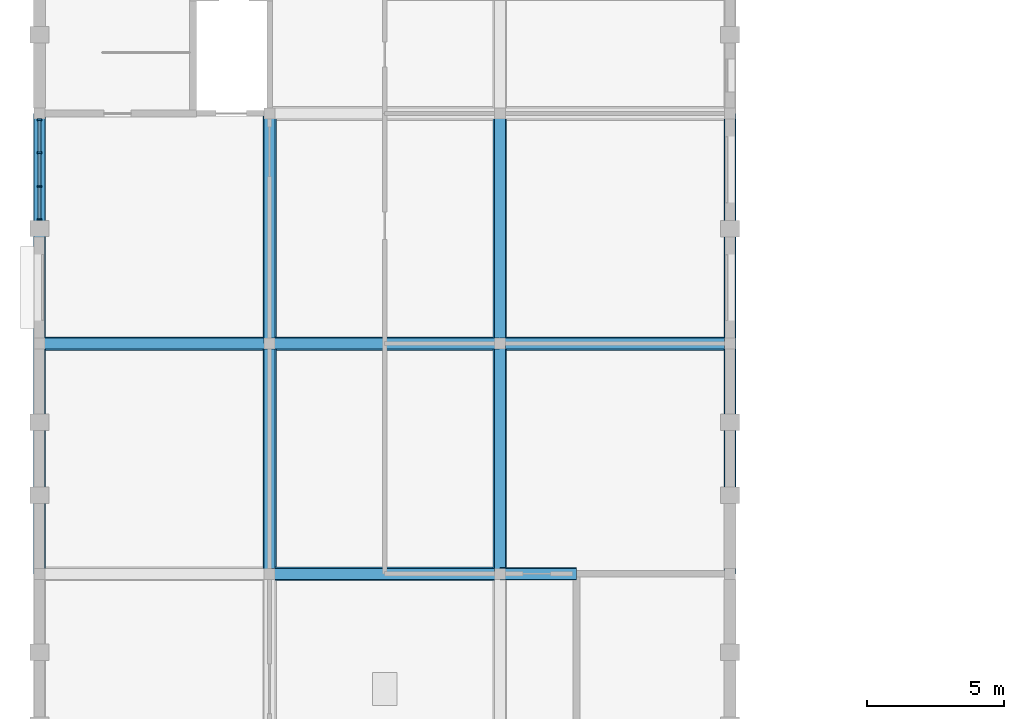
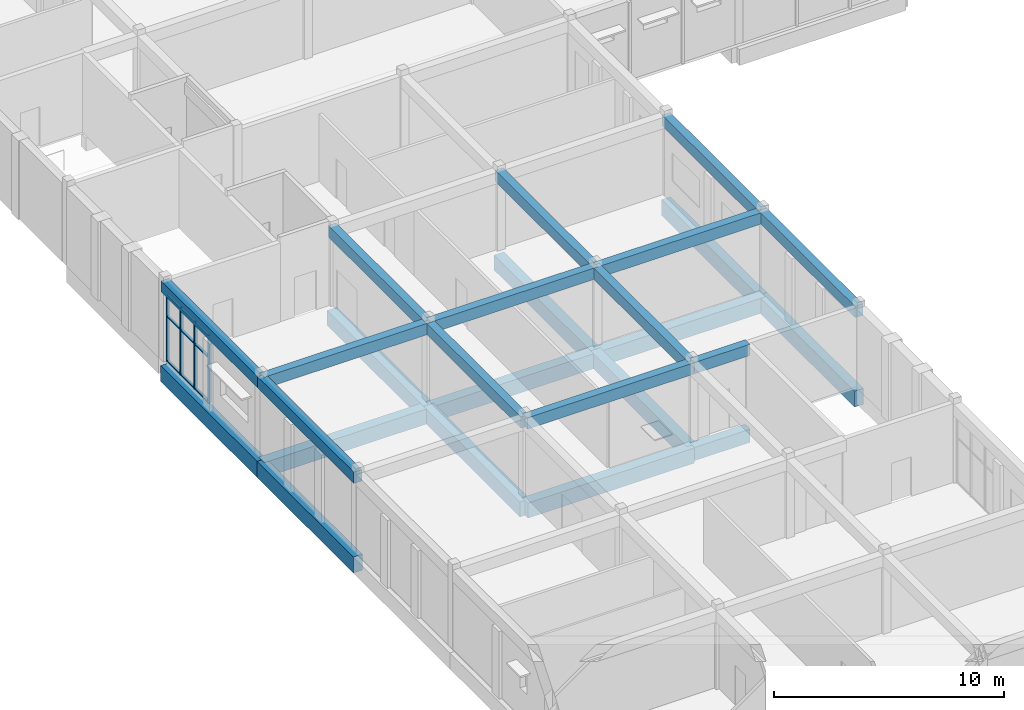
# One storey, part 3 of 15: 26 beams, 13 members, 1 element without a shape of its own.
"""IFC4 building model written with IfcOpenShell, lengths in metres."""

from ifc_helpers import new_model, si_unit, direction, frame, origin, origin_2d, place, context, subcontext, project, spatial, rectangle, extrude, material, material_profile, profile_set, type_object, element, aggregate, save


model = new_model("IFC4")

# Units and contexts
model_context = context("Model", 3, precision=1e-05, world=origin(), true_north=direction((0.0, 1.0)))
body_context = subcontext(model_context, "Body", "Model", "MODEL_VIEW")
ifc_project = project(units=[si_unit("LENGTHUNIT", "METRE"), si_unit("AREAUNIT", "SQUARE_METRE"), si_unit("VOLUMEUNIT", "CUBIC_METRE"), si_unit("PLANEANGLEUNIT", "RADIAN"), si_unit("MASSUNIT", "GRAM", prefix="KILO")], contexts=[model_context])

# Site, building, storey
site_placement = place(None, origin())
site = spatial("IfcSite", under=ifc_project, at=site_placement, CompositionType="ELEMENT")
building_placement = place(site_placement, origin())
building = spatial("IfcBuilding", under=site, at=building_placement, Name="Fescue Hill Polytechnic", CompositionType="ELEMENT")
storey_placement = place(building_placement, frame((0.0, 0.0, 31.5)))
storey = spatial("IfcBuildingStorey", under=building, at=storey_placement, Name="L07", CompositionType="ELEMENT", Elevation=31.5)

# Beams
ifc_material_1 = material(Name="Concrete 35 MPa", Category="concrete")
ifc_material_profile_1 = material_profile(ifc_material_1, rectangle(XDim=0.39990234375, YDim=0.60009765625, at=origin_2d()), Name="RC 400x600")
ifc_profile_set_1 = profile_set([ifc_material_profile_1], Name="Concrete 35 MPa")
beam_type_1 = type_object("IfcBeamType", Name="Beam RC 400x600", PredefinedType="BEAM", material=ifc_profile_set_1)
beam_1_placement = place(storey_placement, frame((0.0, 84.0, 3.89990234375), z_axis=(0.0, 1.0, 0.0), x_axis=(-1.0, 0.0, 0.0)))
element("IfcBeam", 1, at=beam_1_placement, inside=storey, type_object=beam_type_1, Name="BR-L07-0004", PredefinedType="BEAM", context=body_context, shape_type="SweptSolid", body=[
    extrude(rectangle(XDim=0.39990234375, YDim=0.60009765625, at=origin_2d()), origin(), (0.0, 0.0, 1.0), 8.39990234375),
])
beam_2_placement = place(storey_placement, frame((0.0, 92.39990234375, 3.89990234375), z_axis=(0.0, 1.0, 0.0), x_axis=(-1.0, 0.0, 0.0)))
element("IfcBeam", 2, at=beam_2_placement, inside=storey, type_object=beam_type_1, Name="BR-L07-0005", PredefinedType="BEAM", context=body_context, shape_type="SweptSolid", body=[
    extrude(rectangle(XDim=0.39990234375, YDim=0.60009765625, at=origin_2d()), origin(), (0.0, 0.0, 1.0), 8.400146484375),
])
beam_3_placement = place(storey_placement, frame((0.010009765625, 92.39990234375, 3.89990234375), z_axis=(1.0, 0.0, 0.0), x_axis=(0.0, 1.0, 0.0)))
element("IfcBeam", 3, at=beam_3_placement, inside=storey, type_object=beam_type_1, Name="BR-L07-0011", PredefinedType="BEAM", context=body_context, shape_type="SweptSolid", body=[
    extrude(rectangle(XDim=0.39990234375, YDim=0.60009765625, at=origin_2d()), origin(), (0.0, 0.0, 1.0), 8.3798828125),
])
beam_4_placement = place(storey_placement, frame((8.39990234375, 84.0, 3.89990234375), z_axis=(0.0, 1.0, 0.0), x_axis=(-1.0, 0.0, 0.0)))
element("IfcBeam", 4, at=beam_4_placement, inside=storey, type_object=beam_type_1, Name="BR-L07-0020", PredefinedType="BEAM", context=body_context, shape_type="SweptSolid", body=[
    extrude(rectangle(XDim=0.39990234375, YDim=0.60009765625, at=origin_2d()), origin(), (0.0, 0.0, 1.0), 8.39990234375),
])
beam_5_placement = place(storey_placement, frame((8.39990234375, 92.39990234375, 3.89990234375), z_axis=(0.0, 1.0, 0.0), x_axis=(-1.0, 0.0, 0.0)))
element("IfcBeam", 5, at=beam_5_placement, inside=storey, type_object=beam_type_1, Name="BR-L07-0021", PredefinedType="BEAM", context=body_context, shape_type="SweptSolid", body=[
    extrude(rectangle(XDim=0.39990234375, YDim=0.60009765625, at=origin_2d()), origin(), (0.0, 0.0, 1.0), 8.400146484375),
])
for number, where, z_axis, x_axis, name in (
    (6, (8.409912109375, 84.0, 3.89990234375), (1.0, 0.0, 0.0), (0.0, 1.0, 0.0), "BR-L07-0027"),
    (7, (8.409912109375, 92.39990234375, 3.89990234375), (1.0, 0.0, 0.0), (0.0, 1.0, 0.0), "BR-L07-0028"),
):
    element("IfcBeam", number, at=place(storey_placement, frame(where, z_axis=z_axis, x_axis=x_axis)), inside=storey, type_object=beam_type_1, Name=name, PredefinedType="BEAM", context=body_context, shape_type="SweptSolid", body=[
        extrude(rectangle(XDim=0.39990234375, YDim=0.60009765625, at=origin_2d()), origin(), (0.0, 0.0, 1.0), 8.380126953125),
    ])
beam_6_placement = place(storey_placement, frame((16.800048828125, 84.0, 3.89990234375), z_axis=(0.0, 1.0, 0.0), x_axis=(-1.0, 0.0, 0.0)))
element("IfcBeam", 8, at=beam_6_placement, inside=storey, type_object=beam_type_1, Name="BR-L07-0036", PredefinedType="BEAM", context=body_context, shape_type="SweptSolid", body=[
    extrude(rectangle(XDim=0.39990234375, YDim=0.60009765625, at=origin_2d()), origin(), (0.0, 0.0, 1.0), 8.39990234375),
])
beam_7_placement = place(storey_placement, frame((16.800048828125, 92.39990234375, 3.89990234375), z_axis=(0.0, 1.0, 0.0), x_axis=(-1.0, 0.0, 0.0)))
element("IfcBeam", 9, at=beam_7_placement, inside=storey, type_object=beam_type_1, Name="BR-L07-0037", PredefinedType="BEAM", context=body_context, shape_type="SweptSolid", body=[
    extrude(rectangle(XDim=0.39990234375, YDim=0.60009765625, at=origin_2d()), origin(), (0.0, 0.0, 1.0), 8.400146484375),
])
beam_8_placement = place(storey_placement, frame((16.81005859375, 84.0, 3.89990234375), z_axis=(1.0, 0.0, 0.0), x_axis=(0.0, 1.0, 0.0)))
element("IfcBeam", 10, at=beam_8_placement, inside=storey, type_object=beam_type_1, Name="BR-L07-0046", PredefinedType="BEAM", context=body_context, shape_type="SweptSolid", body=[
    extrude(rectangle(XDim=0.39990234375, YDim=0.60009765625, at=origin_2d()), origin(), (0.0, 0.0, 1.0), 2.7900390625),
])
beam_9_placement = place(storey_placement, frame((16.81005859375, 92.39990234375, 3.89990234375), z_axis=(1.0, 0.0, 0.0), x_axis=(0.0, 1.0, 0.0)))
element("IfcBeam", 11, at=beam_9_placement, inside=storey, type_object=beam_type_1, Name="BR-L07-0047", PredefinedType="BEAM", context=body_context, shape_type="SweptSolid", body=[
    extrude(rectangle(XDim=0.39990234375, YDim=0.60009765625, at=origin_2d()), origin(), (0.0, 0.0, 1.0), 8.3798828125),
])
beam_10_placement = place(storey_placement, frame((25.199951171875, 84.0, 3.89990234375), z_axis=(0.0, 1.0, 0.0), x_axis=(-1.0, 0.0, 0.0)))
element("IfcBeam", 12, at=beam_10_placement, inside=storey, type_object=beam_type_1, Name="BR-L07-0053", PredefinedType="BEAM", context=body_context, shape_type="SweptSolid", body=[
    extrude(rectangle(XDim=0.39990234375, YDim=0.60009765625, at=origin_2d()), origin(), (0.0, 0.0, 1.0), 8.39990234375),
])
beam_11_placement = place(storey_placement, frame((25.199951171875, 92.39990234375, 3.89990234375), z_axis=(0.0, 1.0, 0.0), x_axis=(-1.0, 0.0, 0.0)))
element("IfcBeam", 13, at=beam_11_placement, inside=storey, type_object=beam_type_1, Name="BR-L07-0054", PredefinedType="BEAM", context=body_context, shape_type="SweptSolid", body=[
    extrude(rectangle(XDim=0.39990234375, YDim=0.60009765625, at=origin_2d()), origin(), (0.0, 0.0, 1.0), 8.400146484375),
])
ifc_material_profile_2 = material_profile(ifc_material_1, rectangle(XDim=0.449951171875, YDim=0.699951171875, at=origin_2d()), Name="RC 450x700")
ifc_profile_set_2 = profile_set([ifc_material_profile_2], Name="Concrete 35 MPa")
beam_type_2 = type_object("IfcBeamType", Name="Beam RC 450x700", PredefinedType="BEAM", material=ifc_profile_set_2)
beam_12_placement = place(storey_placement, frame((16.81005859375, 84.0, -0.64990234375), z_axis=(1.0, 0.0, 0.0), x_axis=(0.0, 1.0, 0.0)))
element("IfcBeam", 14, at=beam_12_placement, inside=storey, type_object=beam_type_2, Name="BM-L07-0046", PredefinedType="BEAM", context=body_context, shape_type="SweptSolid", body=[
    extrude(rectangle(XDim=0.449951171875, YDim=0.699951171875, at=origin_2d()), origin(), (0.0, 0.0, 1.0), 2.7900390625),
])
ifc_material_profile_3 = material_profile(ifc_material_1, rectangle(XDim=0.449951171875, YDim=0.85009765625, at=origin_2d()), Name="RC 450x850")
ifc_profile_set_3 = profile_set([ifc_material_profile_3], Name="Concrete 35 MPa")
beam_type_3 = type_object("IfcBeamType", Name="Beam RC 450x850", PredefinedType="BEAM", material=ifc_profile_set_3)
beam_13_placement = place(storey_placement, frame((0.0, 84.0, -0.72509765625), z_axis=(0.0, 1.0, 0.0), x_axis=(-1.0, 0.0, 0.0)))
element("IfcBeam", 15, at=beam_13_placement, inside=storey, type_object=beam_type_3, Name="BM-L07-0004", PredefinedType="BEAM", context=body_context, shape_type="SweptSolid", body=[
    extrude(rectangle(XDim=0.449951171875, YDim=0.85009765625, at=origin_2d()), origin(), (0.0, 0.0, 1.0), 8.39990234375),
])
beam_14_placement = place(storey_placement, frame((0.0, 92.39990234375, -0.72509765625), z_axis=(0.0, 1.0, 0.0), x_axis=(-1.0, 0.0, 0.0)))
element("IfcBeam", 16, at=beam_14_placement, inside=storey, type_object=beam_type_3, Name="BM-L07-0005", PredefinedType="BEAM", context=body_context, shape_type="SweptSolid", body=[
    extrude(rectangle(XDim=0.449951171875, YDim=0.85009765625, at=origin_2d()), origin(), (0.0, 0.0, 1.0), 8.400146484375),
])
beam_15_placement = place(storey_placement, frame((25.199951171875, 84.0, -0.72509765625), z_axis=(0.0, 1.0, 0.0), x_axis=(-1.0, 0.0, 0.0)))
element("IfcBeam", 17, at=beam_15_placement, inside=storey, type_object=beam_type_3, Name="BM-L07-0053", PredefinedType="BEAM", context=body_context, shape_type="SweptSolid", body=[
    extrude(rectangle(XDim=0.449951171875, YDim=0.85009765625, at=origin_2d()), origin(), (0.0, 0.0, 1.0), 8.39990234375),
])
beam_16_placement = place(storey_placement, frame((25.199951171875, 92.39990234375, -0.72509765625), z_axis=(0.0, 1.0, 0.0), x_axis=(-1.0, 0.0, 0.0)))
element("IfcBeam", 18, at=beam_16_placement, inside=storey, type_object=beam_type_3, Name="BM-L07-0054", PredefinedType="BEAM", context=body_context, shape_type="SweptSolid", body=[
    extrude(rectangle(XDim=0.449951171875, YDim=0.85009765625, at=origin_2d()), origin(), (0.0, 0.0, 1.0), 8.400146484375),
])
ifc_material_profile_4 = material_profile(ifc_material_1, rectangle(XDim=0.5, YDim=0.800048828125, at=origin_2d()), Name="RC 500x800")
ifc_profile_set_4 = profile_set([ifc_material_profile_4], Name="Concrete 35 MPa")
beam_type_4 = type_object("IfcBeamType", Name="Beam RC 500x800", PredefinedType="BEAM", material=ifc_profile_set_4)
beam_17_placement = place(storey_placement, frame((0.010009765625, 92.39990234375, -0.699951171875), z_axis=(1.0, 0.0, 0.0), x_axis=(0.0, 1.0, 0.0)))
element("IfcBeam", 19, at=beam_17_placement, inside=storey, type_object=beam_type_4, Name="BM-L07-0011", PredefinedType="BEAM", context=body_context, shape_type="SweptSolid", body=[
    extrude(rectangle(XDim=0.5, YDim=0.800048828125, at=origin_2d()), origin(), (0.0, 0.0, 1.0), 8.3798828125),
])
beam_18_placement = place(storey_placement, frame((8.39990234375, 84.0, -0.699951171875), z_axis=(0.0, 1.0, 0.0), x_axis=(-1.0, 0.0, 0.0)))
element("IfcBeam", 20, at=beam_18_placement, inside=storey, type_object=beam_type_4, Name="BM-L07-0020", PredefinedType="BEAM", context=body_context, shape_type="SweptSolid", body=[
    extrude(rectangle(XDim=0.5, YDim=0.800048828125, at=origin_2d()), origin(), (0.0, 0.0, 1.0), 8.39990234375),
])
beam_19_placement = place(storey_placement, frame((8.39990234375, 92.39990234375, -0.699951171875), z_axis=(0.0, 1.0, 0.0), x_axis=(-1.0, 0.0, 0.0)))
element("IfcBeam", 21, at=beam_19_placement, inside=storey, type_object=beam_type_4, Name="BM-L07-0021", PredefinedType="BEAM", context=body_context, shape_type="SweptSolid", body=[
    extrude(rectangle(XDim=0.5, YDim=0.800048828125, at=origin_2d()), origin(), (0.0, 0.0, 1.0), 8.400146484375),
])
for number, where, z_axis, x_axis, name in (
    (22, (8.409912109375, 84.0, -0.699951171875), (1.0, 0.0, 0.0), (0.0, 1.0, 0.0), "BM-L07-0027"),
    (23, (8.409912109375, 92.39990234375, -0.699951171875), (1.0, 0.0, 0.0), (0.0, 1.0, 0.0), "BM-L07-0028"),
):
    element("IfcBeam", number, at=place(storey_placement, frame(where, z_axis=z_axis, x_axis=x_axis)), inside=storey, type_object=beam_type_4, Name=name, PredefinedType="BEAM", context=body_context, shape_type="SweptSolid", body=[
        extrude(rectangle(XDim=0.5, YDim=0.800048828125, at=origin_2d()), origin(), (0.0, 0.0, 1.0), 8.380126953125),
    ])
beam_20_placement = place(storey_placement, frame((16.800048828125, 84.0, -0.699951171875), z_axis=(0.0, 1.0, 0.0), x_axis=(-1.0, 0.0, 0.0)))
element("IfcBeam", 24, at=beam_20_placement, inside=storey, type_object=beam_type_4, Name="BM-L07-0036", PredefinedType="BEAM", context=body_context, shape_type="SweptSolid", body=[
    extrude(rectangle(XDim=0.5, YDim=0.800048828125, at=origin_2d()), origin(), (0.0, 0.0, 1.0), 8.39990234375),
])
beam_21_placement = place(storey_placement, frame((16.800048828125, 92.39990234375, -0.699951171875), z_axis=(0.0, 1.0, 0.0), x_axis=(-1.0, 0.0, 0.0)))
element("IfcBeam", 25, at=beam_21_placement, inside=storey, type_object=beam_type_4, Name="BM-L07-0037", PredefinedType="BEAM", context=body_context, shape_type="SweptSolid", body=[
    extrude(rectangle(XDim=0.5, YDim=0.800048828125, at=origin_2d()), origin(), (0.0, 0.0, 1.0), 8.400146484375),
])
beam_22_placement = place(storey_placement, frame((16.81005859375, 92.39990234375, -0.699951171875), z_axis=(1.0, 0.0, 0.0), x_axis=(0.0, 1.0, 0.0)))
element("IfcBeam", 26, at=beam_22_placement, inside=storey, type_object=beam_type_4, Name="BM-L07-0047", PredefinedType="BEAM", context=body_context, shape_type="SweptSolid", body=[
    extrude(rectangle(XDim=0.5, YDim=0.800048828125, at=origin_2d()), origin(), (0.0, 0.0, 1.0), 8.3798828125),
])

# Curtain wall, members
ifc_material_2 = material(Name="Glass", Category="glass")
curtain_wall_type = type_object("IfcCurtainWallType", Name="Curtain wall structural glazing", PredefinedType="NOTDEFINED", material=ifc_material_2)
curtain_wall_placement = place(storey_placement, origin())
curtain_wall = element("IfcCurtainWall", 27, at=curtain_wall_placement, inside=storey, type_object=curtain_wall_type, Name="CW-L07-V4-X2", PredefinedType="NOTDEFINED")
ifc_material_3 = material(Name="Powder-coated aluminium", Category="aluminium")
ifc_material_profile_5 = material_profile(ifc_material_3, rectangle(XDim=0.159912109375, YDim=0.06005859375, at=origin_2d()), Name="Mullion aluminium 60x160")
ifc_profile_set_5 = profile_set([ifc_material_profile_5], Name="Powder-coated aluminium")
member_type_1 = type_object("IfcMemberType", Name="Mullion aluminium 60x160", PredefinedType="MULLION", material=ifc_profile_set_5)
member_1_placement = place(storey_placement, frame((0.0, 100.570068359375, 0.0), z_axis=(0.0, 0.0, 1.0), x_axis=(1.0, 0.0, 0.0)))
member_1 = element("IfcMember", 28, at=member_1_placement, type_object=member_type_1, Name="CW133 mullion 1", PredefinedType="MULLION", context=body_context, shape_type="SweptSolid", body=[
    extrude(rectangle(XDim=0.159912109375, YDim=0.06005859375, at=origin_2d()), origin(), (0.0, 0.0, 1.0), 3.580078125),
])
member_2_placement = place(storey_placement, frame((0.0, 99.36669921875, 0.0), z_axis=(0.0, 0.0, 1.0), x_axis=(1.0, 0.0, 0.0)))
member_2 = element("IfcMember", 29, at=member_2_placement, type_object=member_type_1, Name="CW133 mullion 2", PredefinedType="MULLION", context=body_context, shape_type="SweptSolid", body=[
    extrude(rectangle(XDim=0.159912109375, YDim=0.06005859375, at=origin_2d()), origin(), (0.0, 0.0, 1.0), 3.580078125),
])
member_3_placement = place(storey_placement, frame((0.0, 98.13330078125, 0.0), z_axis=(0.0, 0.0, 1.0), x_axis=(1.0, 0.0, 0.0)))
member_3 = element("IfcMember", 30, at=member_3_placement, type_object=member_type_1, Name="CW133 mullion 3", PredefinedType="MULLION", context=body_context, shape_type="SweptSolid", body=[
    extrude(rectangle(XDim=0.159912109375, YDim=0.06005859375, at=origin_2d()), origin(), (0.0, 0.0, 1.0), 3.580078125),
])
member_4_placement = place(storey_placement, frame((0.0, 96.929931640625, 0.0), z_axis=(0.0, 0.0, 1.0), x_axis=(1.0, 0.0, 0.0)))
member_4 = element("IfcMember", 31, at=member_4_placement, type_object=member_type_1, Name="CW133 mullion 4", PredefinedType="MULLION", context=body_context, shape_type="SweptSolid", body=[
    extrude(rectangle(XDim=0.159912109375, YDim=0.06005859375, at=origin_2d()), origin(), (0.0, 0.0, 1.0), 3.580078125),
])
ifc_material_profile_6 = material_profile(ifc_material_3, rectangle(XDim=0.1201171875, YDim=0.06005859375, at=origin_2d()), Name="Transom aluminium 60x120")
ifc_profile_set_6 = profile_set([ifc_material_profile_6], Name="Powder-coated aluminium")
member_type_2 = type_object("IfcMemberType", Name="Transom aluminium 60x120", PredefinedType="USERDEFINED", material=ifc_profile_set_6)
member_5_placement = place(storey_placement, frame((0.0, 100.5400390625, 0.030029296875), z_axis=(0.0, -1.0, 0.0), x_axis=(1.0, 0.0, 0.0)))
member_5 = element("IfcMember", 32, at=member_5_placement, type_object=member_type_2, Name="CW133 transom 1.1", ObjectType="TRANSOM", PredefinedType="USERDEFINED", context=body_context, shape_type="SweptSolid", body=[
    extrude(rectangle(XDim=0.1201171875, YDim=0.06005859375, at=origin_2d()), origin(), (0.0, 0.0, 1.0), 1.143310546875),
])
member_6_placement = place(storey_placement, frame((0.0, 100.5400390625, 2.39990234375), z_axis=(0.0, -1.0, 0.0), x_axis=(1.0, 0.0, 0.0)))
member_6 = element("IfcMember", 33, at=member_6_placement, type_object=member_type_2, Name="CW133 transom 1.2", ObjectType="TRANSOM", PredefinedType="USERDEFINED", context=body_context, shape_type="SweptSolid", body=[
    extrude(rectangle(XDim=0.1201171875, YDim=0.06005859375, at=origin_2d()), origin(), (0.0, 0.0, 1.0), 1.143310546875),
])
member_7_placement = place(storey_placement, frame((0.0, 100.5400390625, 3.550048828125), z_axis=(0.0, -1.0, 0.0), x_axis=(1.0, 0.0, 0.0)))
member_7 = element("IfcMember", 34, at=member_7_placement, type_object=member_type_2, Name="CW133 transom 1.3", ObjectType="TRANSOM", PredefinedType="USERDEFINED", context=body_context, shape_type="SweptSolid", body=[
    extrude(rectangle(XDim=0.1201171875, YDim=0.06005859375, at=origin_2d()), origin(), (0.0, 0.0, 1.0), 1.143310546875),
])
member_8_placement = place(storey_placement, frame((0.0, 99.336669921875, 0.030029296875), z_axis=(0.0, -1.0, 0.0), x_axis=(1.0, 0.0, 0.0)))
member_8 = element("IfcMember", 35, at=member_8_placement, type_object=member_type_2, Name="CW133 transom 2.1", ObjectType="TRANSOM", PredefinedType="USERDEFINED", context=body_context, shape_type="SweptSolid", body=[
    extrude(rectangle(XDim=0.1201171875, YDim=0.06005859375, at=origin_2d()), origin(), (0.0, 0.0, 1.0), 1.17333984375),
])
member_9_placement = place(storey_placement, frame((0.0, 99.336669921875, 2.39990234375), z_axis=(0.0, -1.0, 0.0), x_axis=(1.0, 0.0, 0.0)))
member_9 = element("IfcMember", 36, at=member_9_placement, type_object=member_type_2, Name="CW133 transom 2.2", ObjectType="TRANSOM", PredefinedType="USERDEFINED", context=body_context, shape_type="SweptSolid", body=[
    extrude(rectangle(XDim=0.1201171875, YDim=0.06005859375, at=origin_2d()), origin(), (0.0, 0.0, 1.0), 1.17333984375),
])
member_10_placement = place(storey_placement, frame((0.0, 99.336669921875, 3.550048828125), z_axis=(0.0, -1.0, 0.0), x_axis=(1.0, 0.0, 0.0)))
member_10 = element("IfcMember", 37, at=member_10_placement, type_object=member_type_2, Name="CW133 transom 2.3", ObjectType="TRANSOM", PredefinedType="USERDEFINED", context=body_context, shape_type="SweptSolid", body=[
    extrude(rectangle(XDim=0.1201171875, YDim=0.06005859375, at=origin_2d()), origin(), (0.0, 0.0, 1.0), 1.17333984375),
])
member_11_placement = place(storey_placement, frame((0.0, 98.103271484375, 0.030029296875), z_axis=(0.0, -1.0, 0.0), x_axis=(1.0, 0.0, 0.0)))
member_11 = element("IfcMember", 38, at=member_11_placement, type_object=member_type_2, Name="CW133 transom 3.1", ObjectType="TRANSOM", PredefinedType="USERDEFINED", context=body_context, shape_type="SweptSolid", body=[
    extrude(rectangle(XDim=0.1201171875, YDim=0.06005859375, at=origin_2d()), origin(), (0.0, 0.0, 1.0), 1.143310546875),
])
member_12_placement = place(storey_placement, frame((0.0, 98.103271484375, 2.39990234375), z_axis=(0.0, -1.0, 0.0), x_axis=(1.0, 0.0, 0.0)))
member_12 = element("IfcMember", 39, at=member_12_placement, type_object=member_type_2, Name="CW133 transom 3.2", ObjectType="TRANSOM", PredefinedType="USERDEFINED", context=body_context, shape_type="SweptSolid", body=[
    extrude(rectangle(XDim=0.1201171875, YDim=0.06005859375, at=origin_2d()), origin(), (0.0, 0.0, 1.0), 1.143310546875),
])
member_13_placement = place(storey_placement, frame((0.0, 98.103271484375, 3.550048828125), z_axis=(0.0, -1.0, 0.0), x_axis=(1.0, 0.0, 0.0)))
member_13 = element("IfcMember", 40, at=member_13_placement, type_object=member_type_2, Name="CW133 transom 3.3", ObjectType="TRANSOM", PredefinedType="USERDEFINED", context=body_context, shape_type="SweptSolid", body=[
    extrude(rectangle(XDim=0.1201171875, YDim=0.06005859375, at=origin_2d()), origin(), (0.0, 0.0, 1.0), 1.143310546875),
])
aggregate(curtain_wall, [member_1, member_2, member_3, member_4, member_5, member_6, member_7, member_8, member_9, member_10, member_11, member_12, member_13])

save(model, "model.ifc")
